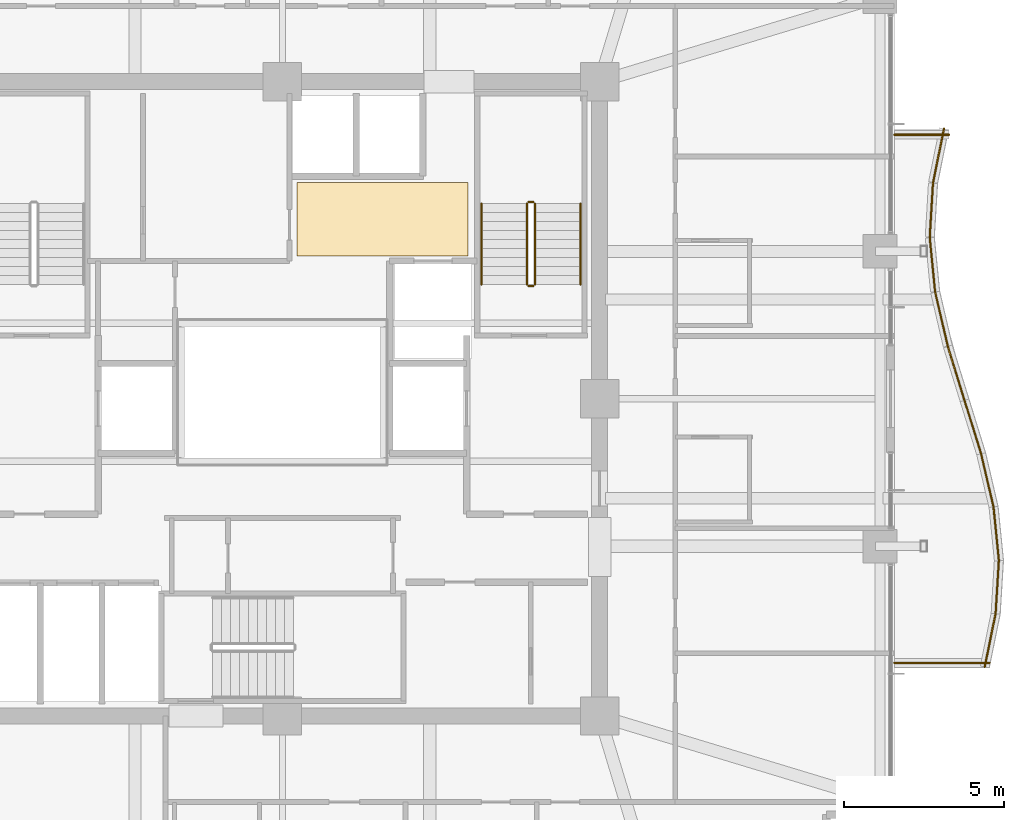
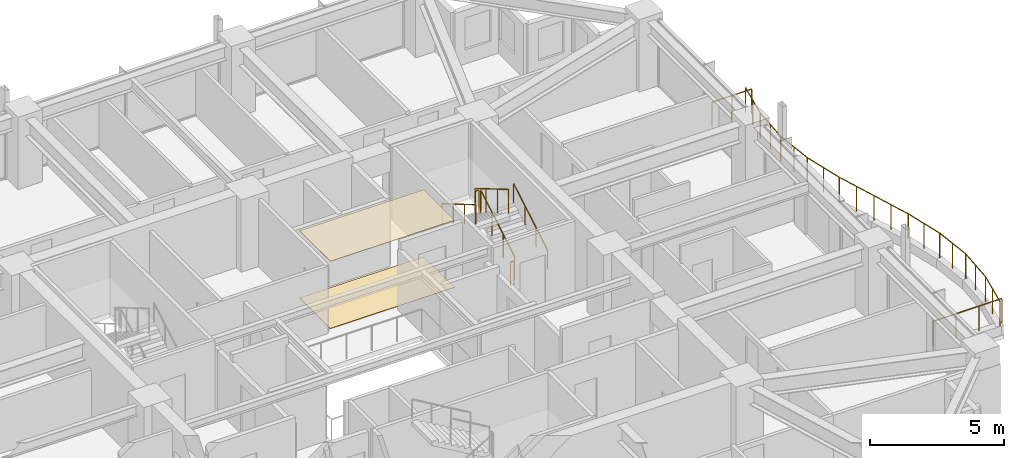
# One storey, part 35 of 35: 18 railings, 2 coverings.
"""IFC4 building model written with IfcOpenShell, lengths in metres."""

import ifcopenshell
import ifcopenshell.guid

model = None  # the IFC model being written
_history = None  # IfcOwnerHistory: only IFC2X3 demands one
_inside = {}  # id of a spatial element -> (the spatial element, [elements in it])
_under = {}  # id of a project, library or spatial element -> (it, [spatial elements below it])
_declared = {}  # id of a project -> (the project, [libraries it declares])
_typed = {}  # id of a type object -> (the type object, [elements of that type])
_made_of = {}  # id of a material, layer set ... -> (it, [elements and type objects made of it])


def new_model(schema):
    """Start an empty IFC model of exactly this schema.

    Asked for "IFC4X3", IfcOpenShell would pick the latest addendum, in which some entities
    have other attributes; the version numbers below select the first issue.
    IFC2X3 requires an IfcOwnerHistory on every rooted entity: one is made here for all.
    """
    global model, _history
    if schema == "IFC4X3":
        model = ifcopenshell.file(schema_version=(4, 3, 0, 0))
    else:
        model = ifcopenshell.file(schema=schema)
    _inside.clear()
    _under.clear()
    _declared.clear()
    _typed.clear()
    _made_of.clear()
    _history = None
    if model.schema == "IFC2X3":
        org = make("IfcOrganization", Name="unknown")
        user = make(
            "IfcPersonAndOrganization",
            ThePerson=make("IfcPerson", FamilyName="unknown"),
            TheOrganization=org,
        )
        app = make(
            "IfcApplication",
            ApplicationDeveloper=org,
            Version="unknown",
            ApplicationFullName="unknown",
            ApplicationIdentifier="unknown",
        )
        _history = make(
            "IfcOwnerHistory",
            OwningUser=user,
            OwningApplication=app,
            ChangeAction="ADDED",
            CreationDate=0,
        )
    return model


def make(cls, **values):
    """One entity of the class cls with the attributes given. An attribute that is None is left unset."""
    return model.create_entity(
        cls, **{name: value for name, value in values.items() if value is not None}
    )


def rooted(cls, **values):
    """An entity with a GlobalId (a new one), such as an element, a storey or a relation."""
    return make(cls, GlobalId=ifcopenshell.guid.new(), OwnerHistory=_history, **values)


def si_unit(unit_type, name, prefix=None):
    """IfcSIUnit, for example si_unit("LENGTHUNIT", "METRE", prefix="MILLI")."""
    return make("IfcSIUnit", UnitType=unit_type, Prefix=prefix, Name=name)


def assignment(units):
    """IfcUnitAssignment: the units of a project."""
    return None if units is None else make("IfcUnitAssignment", Units=units)


def point(xyz):
    """IfcCartesianPoint."""
    return None if xyz is None else make("IfcCartesianPoint", Coordinates=xyz)


def direction(xyz):
    """IfcDirection."""
    return None if xyz is None else make("IfcDirection", DirectionRatios=xyz)


def frame(location, z_axis=None, x_axis=None):
    """IfcAxis2Placement3D, a coordinate frame: its origin and axes. An axis left out is left unset."""
    return make(
        "IfcAxis2Placement3D",
        Location=point(location),
        Axis=direction(z_axis),
        RefDirection=direction(x_axis),
    )


def frame_2d(location, x_axis=None):
    """IfcAxis2Placement2D, a coordinate frame in the plane: its origin and x axis."""
    return make(
        "IfcAxis2Placement2D", Location=point(location), RefDirection=direction(x_axis)
    )


def origin():
    """The frame at (0, 0, 0) with its axes left unset."""
    return frame((0.0, 0.0, 0.0))


def origin_2d():
    """The frame at (0, 0) in the plane with its x axis left unset."""
    return frame_2d((0.0, 0.0))


def place(relative_to, where):
    """IfcLocalPlacement: puts the frame where relative to a parent placement (None: the world)."""
    return make(
        "IfcLocalPlacement", PlacementRelTo=relative_to, RelativePlacement=where
    )


def context(
    kind, dimensions, precision=None, world=None, true_north=None, identifier=None
):
    """IfcGeometricRepresentationContext, for example the 3D "Model" context."""
    return make(
        "IfcGeometricRepresentationContext",
        ContextIdentifier=identifier,
        ContextType=kind,
        CoordinateSpaceDimension=dimensions,
        Precision=precision,
        WorldCoordinateSystem=world,
        TrueNorth=true_north,
    )


def subcontext(parent, identifier, kind, view, scale=None):
    """IfcGeometricRepresentationSubContext, for example "Body" below "Model"."""
    return make(
        "IfcGeometricRepresentationSubContext",
        ContextIdentifier=identifier,
        ContextType=kind,
        ParentContext=parent,
        TargetScale=scale,
        TargetView=view,
    )


def project(units=None, contexts=None):
    """IfcProject with its units and contexts."""
    return rooted(
        "IfcProject",
        Name="project",
        RepresentationContexts=contexts,
        UnitsInContext=assignment(units),
    )


def spatial(cls, under=None, at=None, **own):
    """A site, building, storey or space (cls), placed at a placement, below another one or the project."""
    s = rooted(cls, ObjectPlacement=at, **own)
    if under is not None:
        _under.setdefault(under.id(), (under, []))[1].append(s)
    return s


def polyline(points):
    """IfcPolyline through the points."""
    return make("IfcPolyline", Points=[point(p) for p in points])


def profile(cls, at=None, kind="AREA", **sizes):
    """A parametric profile (cls). Its sizes go by their IFC names, for example OverallWidth=200.0."""
    return make(cls, ProfileType=kind, Position=at, **sizes)


def circle(**sizes):
    """IfcCircleProfileDef."""
    return profile("IfcCircleProfileDef", **sizes)


def outline(outer, holes=None, kind="AREA"):
    """IfcArbitraryClosedProfileDef: a profile drawn as a closed curve; with holes, ...WithVoids."""
    if holes is None:
        return make("IfcArbitraryClosedProfileDef", ProfileType=kind, OuterCurve=outer)
    return make(
        "IfcArbitraryProfileDefWithVoids",
        ProfileType=kind,
        OuterCurve=outer,
        InnerCurves=holes,
    )


def extrude(swept, where, along, depth):
    """IfcExtrudedAreaSolid: the profile swept, set in the frame where, extruded along a direction by depth."""
    return make(
        "IfcExtrudedAreaSolid",
        SweptArea=swept,
        Position=where,
        ExtrudedDirection=direction(along),
        Depth=depth,
    )


def shape(context_of_items, identifier, shape_type, items):
    """IfcShapeRepresentation: the items that make up one representation, for example the "Body"."""
    return make(
        "IfcShapeRepresentation",
        ContextOfItems=context_of_items,
        RepresentationIdentifier=identifier,
        RepresentationType=shape_type,
        Items=items,
    )


def material(Name=None, Category=None):
    """IfcMaterial."""
    return make("IfcMaterial", Name=Name, Category=Category)


def layer(
    of_material, thickness, ventilated=None, Name=None, Category=None, Priority=None
):
    """IfcMaterialLayer: one layer of a wall or slab, of a material (None: an air gap)."""
    return make(
        "IfcMaterialLayer",
        Material=of_material,
        LayerThickness=thickness,
        IsVentilated=ventilated,
        Name=Name,
        Category=Category,
        Priority=Priority,
    )


def layer_set(layers, Name=None):
    """IfcMaterialLayerSet."""
    return make("IfcMaterialLayerSet", MaterialLayers=layers, LayerSetName=Name)


def made_of(thing, what):
    """Note that an element or type object is made of a material, layer set ...; save() writes the relation."""
    if what is not None:
        _made_of.setdefault(what.id(), (what, []))[1].append(thing)
    return thing


def type_object(cls, material=None, **own):
    """A type object (cls), such as IfcWallType, which elements share."""
    return made_of(rooted(cls, **own), material)


def element(
    cls,
    number,
    at=None,
    inside=None,
    cuts=None,
    type_object=None,
    material=None,
    context=None,
    identifier="Body",
    shape_type=None,
    held_by="IfcProductDefinitionShape",
    body=None,
    shapes=None,
    **own,
):
    """One element of the class cls, such as IfcWall. Its Tag is "e" and its number.

    at: its placement. inside: the storey or other place that contains it. cuts: it is an
    opening in that element (IfcRelVoidsElement). A single representation is given by context,
    identifier, shape_type and body (its items); several are given by shapes. held_by: the class
    of the entity that holds the representations. save() writes the other relations.
    """
    e = rooted(cls, Tag="e%d" % number, ObjectPlacement=at, **own)
    if body is not None:
        shapes = [shape(context, identifier, shape_type, body)]
    if shapes is not None:
        e.Representation = make(held_by, Representations=shapes)
    if inside is not None:
        _inside.setdefault(inside.id(), (inside, []))[1].append(e)
    if cuts is not None:
        rooted(
            "IfcRelVoidsElement", RelatingBuildingElement=cuts, RelatedOpeningElement=e
        )
    if type_object is not None:
        _typed.setdefault(type_object.id(), (type_object, []))[1].append(e)
    return made_of(e, material)


def aggregate(whole, parts):
    """IfcRelAggregates: a whole, such as a stair, and the parts it consists of."""
    return rooted("IfcRelAggregates", RelatingObject=whole, RelatedObjects=parts)


def save(model, path):
    """Write the relations noted so far, then the file.

    IfcRelAggregates (storeys below a building ...), IfcRelContainedInSpatialStructure (elements
    in a storey), IfcRelDefinesByType, IfcRelAssociatesMaterial and IfcRelDeclares: one each for
    every whole, place, type object, material and project.
    """
    for whole, parts in _under.values():
        aggregate(whole, parts)
    for where, things in _inside.values():
        rooted(
            "IfcRelContainedInSpatialStructure",
            RelatedElements=things,
            RelatingStructure=where,
        )
    for kind, things in _typed.values():
        rooted("IfcRelDefinesByType", RelatedObjects=things, RelatingType=kind)
    for what, things in _made_of.values():
        rooted("IfcRelAssociatesMaterial", RelatedObjects=things, RelatingMaterial=what)
    for by, libraries in _declared.values():
        rooted("IfcRelDeclares", RelatingContext=by, RelatedDefinitions=libraries)
    model.write(path)


model = new_model("IFC4")

# Units and contexts
model_context = context("Model", 3, precision=1e-05, world=origin(), true_north=direction((0.0, 1.0)))
body_context = subcontext(model_context, "Body", "Model", "MODEL_VIEW")
ifc_project = project(units=[si_unit("LENGTHUNIT", "METRE"), si_unit("AREAUNIT", "SQUARE_METRE"), si_unit("VOLUMEUNIT", "CUBIC_METRE"), si_unit("PLANEANGLEUNIT", "RADIAN"), si_unit("MASSUNIT", "GRAM", prefix="KILO")], contexts=[model_context])

# Site, building, storey
site_placement = place(None, origin())
site = spatial("IfcSite", under=ifc_project, at=site_placement, CompositionType="ELEMENT")
building_placement = place(site_placement, origin())
building = spatial("IfcBuilding", under=site, at=building_placement, Name="Kolvaren Belvedere", CompositionType="ELEMENT")
storey_placement = place(building_placement, frame((0.0, 0.0, 115.10009765625)))
storey = spatial("IfcBuildingStorey", under=building, at=storey_placement, Name="L33", CompositionType="ELEMENT", Elevation=115.10009765625)

# Coverings
ifc_material_1 = material(Name="Acoustic perforated gypsum board", Category="gypsum")
ifc_layer_1 = layer(ifc_material_1, 0.02490234375)
ifc_layer_set_1 = layer_set([ifc_layer_1], Name="Acoustic perforated gypsum board")
covering_type_1 = type_object("IfcCoveringType", Name="COV-CEIL-GYP", PredefinedType="CEILING", material=ifc_layer_set_1)
covering_1_placement = place(storey_placement, frame((0.0, 0.0, 3.054931640625)))
element("IfcCovering", 1, at=covering_1_placement, inside=storey, type_object=covering_type_1, Name="L33 Lift Lobby Acoustic Baffle Ceiling", PredefinedType="CEILING", context=body_context, shape_type="SweptSolid", body=[
    extrude(outline(polyline([(0.449951171875, 4.449951171875), (5.800048828125, 4.449951171875), (5.800048828125, 6.75), (0.449951171875, 6.75), (0.449951171875, 4.449951171875)])), origin(), (0.0, 0.0, 1.0), 0.02490234375),
])
ifc_material_2 = material(Name="Engineered Pacific white oak", Category="timber")
ifc_layer_2 = layer(ifc_material_2, 0.02001953125)
ifc_layer_set_2 = layer_set([ifc_layer_2], Name="Engineered Pacific white oak")
covering_type_2 = type_object("IfcCoveringType", Name="COV-FLR-OAK", PredefinedType="FLOORING", material=ifc_layer_set_2)
covering_2_placement = place(storey_placement, origin())
element("IfcCovering", 2, at=covering_2_placement, inside=storey, type_object=covering_type_2, Name="L33 Lift Lobby Finish Flooring", PredefinedType="FLOORING", context=body_context, shape_type="SweptSolid", body=[
    extrude(outline(polyline([(0.449951171875, 4.449951171875), (5.800048828125, 4.449951171875), (5.800048828125, 6.75), (0.449951171875, 6.75), (0.449951171875, 4.449951171875)])), origin(), (0.0, 0.0, 1.0), 0.02001953125),
])

# Railings
ifc_material_3 = material(Name="Anodised pale-metal aluminium & laminated glass guard", Category="aluminium")
railing_type_1 = type_object("IfcRailingType", Name="RL-GUARD-1150", PredefinedType="GUARDRAIL", material=ifc_material_3)
railing_1_placement = place(storey_placement, frame((21.91796875, -8.367919921875, 0.3798828125)))
element("IfcRailing", 3, at=railing_1_placement, inside=storey, type_object=railing_type_1, Name="L33 Exterior Deck Safety Guard BAL-E-1", PredefinedType="GUARDRAIL", context=body_context, shape_type="SweptSolid", body=[
    extrude(circle(Radius=0.02392578125, at=origin_2d()), frame((0.0, 0.0, 1.1259765625), z_axis=(0.199784246163, 0.979839912937, 0.0), x_axis=(-0.979839912937, 0.199784246163, 0.0)), (0.0, 0.0, 1.0), 1.714599609375),
    extrude(circle(Radius=0.02099609375, at=origin_2d()), origin(), (0.0, 0.0, 1.0), 1.101806640625),
    extrude(circle(Radius=0.02099609375, at=origin_2d()), frame((0.17138671875, 0.83984375, 0.0)), (0.0, 0.0, 1.0), 1.101806640625),
    extrude(circle(Radius=0.02099609375, at=origin_2d()), frame((0.342529296875, 1.679931640625, 0.0)), (0.0, 0.0, 1.0), 1.101806640625),
])
railing_2_placement = place(storey_placement, frame((22.257568359375, -6.710205078125, 0.3798828125)))
element("IfcRailing", 4, at=railing_2_placement, inside=storey, type_object=railing_type_1, Name="L33 Exterior Deck Safety Guard BAL-E-2", PredefinedType="GUARDRAIL", context=body_context, shape_type="SweptSolid", body=[
    extrude(circle(Radius=0.02392578125, at=origin_2d()), frame((0.0, 0.0, 1.1259765625), z_axis=(0.061068773295, 0.998133560666, 0.0), x_axis=(-0.998133560666, 0.061068773295, 0.0)), (0.0, 0.0, 1.0), 1.68310546875),
    extrude(circle(Radius=0.02099609375, at=origin_2d()), origin(), (0.0, 0.0, 1.0), 1.101806640625),
    extrude(circle(Radius=0.02099609375, at=origin_2d()), frame((0.05126953125, 0.83984375, 0.0)), (0.0, 0.0, 1.0), 1.101806640625),
    extrude(circle(Radius=0.02099609375, at=origin_2d()), frame((0.102783203125, 1.679931640625, 0.0)), (0.0, 0.0, 1.0), 1.101806640625),
])
railing_3_placement = place(storey_placement, frame((22.36083984375, -5.055908203125, 0.3798828125)))
element("IfcRailing", 5, at=railing_3_placement, inside=storey, type_object=railing_type_1, Name="L33 Exterior Deck Safety Guard BAL-E-3", PredefinedType="GUARDRAIL", context=body_context, shape_type="SweptSolid", body=[
    extrude(circle(Radius=0.02392578125, at=origin_2d()), frame((0.0, 0.0, 1.1259765625), z_axis=(-0.099632573776, 0.995024296308, 0.0), x_axis=(-0.995024296308, -0.099632573776, 0.0)), (0.0, 0.0, 1.0), 1.688232421875),
    extrude(circle(Radius=0.02099609375, at=origin_2d()), origin(), (0.0, 0.0, 1.0), 1.101806640625),
    extrude(circle(Radius=0.02099609375, at=origin_2d()), frame((-0.083984375, 0.83984375, 0.0)), (0.0, 0.0, 1.0), 1.101806640625),
    extrude(circle(Radius=0.02099609375, at=origin_2d()), frame((-0.168212890625, 1.679931640625, 0.0)), (0.0, 0.0, 1.0), 1.101806640625),
])
railing_4_placement = place(storey_placement, frame((22.196044921875, -3.396240234375, 0.3798828125)))
element("IfcRailing", 6, at=railing_4_placement, inside=storey, type_object=railing_type_1, Name="L33 Exterior Deck Safety Guard BAL-E-4", PredefinedType="GUARDRAIL", context=body_context, shape_type="SweptSolid", body=[
    extrude(circle(Radius=0.02392578125, at=origin_2d()), frame((0.0, 0.0, 1.1259765625), z_axis=(-0.227019323824, 0.973890253884, 0.0), x_axis=(-0.973890253884, -0.227019323824, 0.0)), (0.0, 0.0, 1.0), 1.724853515625),
    extrude(circle(Radius=0.02099609375, at=origin_2d()), origin(), (0.0, 0.0, 1.0), 1.101806640625),
    extrude(circle(Radius=0.02099609375, at=origin_2d()), frame((-0.19580078125, 0.83984375, 0.0)), (0.0, 0.0, 1.0), 1.101806640625),
    extrude(circle(Radius=0.02099609375, at=origin_2d()), frame((-0.3916015625, 1.679931640625, 0.0)), (0.0, 0.0, 1.0), 1.101806640625),
])
railing_5_placement = place(storey_placement, frame((21.8076171875, -1.727294921875, 0.3798828125)))
element("IfcRailing", 7, at=railing_5_placement, inside=storey, type_object=railing_type_1, Name="L33 Exterior Deck Safety Guard BAL-E-5", PredefinedType="GUARDRAIL", context=body_context, shape_type="SweptSolid", body=[
    extrude(circle(Radius=0.02392578125, at=origin_2d()), frame((0.0, 0.0, 1.1259765625), z_axis=(-0.295958190359, 0.955200894869, 0.0), x_axis=(-0.955200894869, -0.295958190359, 0.0)), (0.0, 0.0, 1.0), 1.7587890625),
    extrude(circle(Radius=0.02099609375, at=origin_2d()), origin(), (0.0, 0.0, 1.0), 1.101806640625),
    extrude(circle(Radius=0.02099609375, at=origin_2d()), frame((-0.26025390625, 0.83984375, 0.0)), (0.0, 0.0, 1.0), 1.101806640625),
    extrude(circle(Radius=0.02099609375, at=origin_2d()), frame((-0.5205078125, 1.679931640625, 0.0)), (0.0, 0.0, 1.0), 1.101806640625),
])
railing_6_placement = place(storey_placement, frame((21.287109375, -0.04736328125, 0.3798828125)))
element("IfcRailing", 8, at=railing_6_placement, inside=storey, type_object=railing_type_1, Name="L33 Exterior Deck Safety Guard BAL-E-6", PredefinedType="GUARDRAIL", context=body_context, shape_type="SweptSolid", body=[
    extrude(circle(Radius=0.02392578125, at=origin_2d()), frame((0.0, 0.0, 1.1259765625), z_axis=(-0.29579229954, 0.955252278476, 0.0), x_axis=(-0.955252278476, -0.29579229954, 0.0)), (0.0, 0.0, 1.0), 1.7587890625),
    extrude(circle(Radius=0.02099609375, at=origin_2d()), origin(), (0.0, 0.0, 1.0), 1.101806640625),
    extrude(circle(Radius=0.02099609375, at=origin_2d()), frame((-0.26025390625, 0.840087890625, 0.0)), (0.0, 0.0, 1.0), 1.101806640625),
    extrude(circle(Radius=0.02099609375, at=origin_2d()), frame((-0.520263671875, 1.68017578125, 0.0)), (0.0, 0.0, 1.0), 1.101806640625),
])
railing_7_placement = place(storey_placement, frame((20.763916015625, 1.643798828125, 0.3798828125)))
element("IfcRailing", 9, at=railing_7_placement, inside=storey, type_object=railing_type_1, Name="L33 Exterior Deck Safety Guard BAL-E-7", PredefinedType="GUARDRAIL", context=body_context, shape_type="SweptSolid", body=[
    extrude(circle(Radius=0.02392578125, at=origin_2d()), frame((0.0, 0.0, 1.1259765625), z_axis=(-0.227019323824, 0.973890253884, 0.0), x_axis=(-0.973890253884, -0.227019323824, 0.0)), (0.0, 0.0, 1.0), 1.724853515625),
    extrude(circle(Radius=0.02099609375, at=origin_2d()), origin(), (0.0, 0.0, 1.0), 1.101806640625),
    extrude(circle(Radius=0.02099609375, at=origin_2d()), frame((-0.19580078125, 0.83984375, 0.0)), (0.0, 0.0, 1.0), 1.101806640625),
    extrude(circle(Radius=0.02099609375, at=origin_2d()), frame((-0.3916015625, 1.679931640625, 0.0)), (0.0, 0.0, 1.0), 1.101806640625),
])
railing_8_placement = place(storey_placement, frame((20.368896484375, 3.34423828125, 0.3798828125)))
element("IfcRailing", 10, at=railing_8_placement, inside=storey, type_object=railing_type_1, Name="L33 Exterior Deck Safety Guard BAL-E-8", PredefinedType="GUARDRAIL", context=body_context, shape_type="SweptSolid", body=[
    extrude(circle(Radius=0.02392578125, at=origin_2d()), frame((0.0, 0.0, 1.1259765625), z_axis=(-0.098329649867, 0.995153897624, 0.0), x_axis=(-0.995153897624, -0.098329649867, 0.0)), (0.0, 0.0, 1.0), 1.6884765625),
    extrude(circle(Radius=0.02099609375, at=origin_2d()), origin(), (0.0, 0.0, 1.0), 1.101806640625),
    extrude(circle(Radius=0.02099609375, at=origin_2d()), frame((-0.0830078125, 0.840087890625, 0.0)), (0.0, 0.0, 1.0), 1.101806640625),
    extrude(circle(Radius=0.02099609375, at=origin_2d()), frame((-0.166015625, 1.68017578125, 0.0)), (0.0, 0.0, 1.0), 1.101806640625),
])
railing_9_placement = place(storey_placement, frame((20.202392578125, 5.049560546875, 0.3798828125)))
element("IfcRailing", 11, at=railing_9_placement, inside=storey, type_object=railing_type_1, Name="L33 Exterior Deck Safety Guard BAL-E-9", PredefinedType="GUARDRAIL", context=body_context, shape_type="SweptSolid", body=[
    extrude(circle(Radius=0.02392578125, at=origin_2d()), frame((0.0, 0.0, 1.1259765625), z_axis=(0.059767979379, 0.998212296378, 0.0), x_axis=(-0.998212296378, 0.059767979379, 0.0)), (0.0, 0.0, 1.0), 1.682861328125),
    extrude(circle(Radius=0.02099609375, at=origin_2d()), origin(), (0.0, 0.0, 1.0), 1.101806640625),
    extrude(circle(Radius=0.02099609375, at=origin_2d()), frame((0.05029296875, 0.83984375, 0.0)), (0.0, 0.0, 1.0), 1.101806640625),
    extrude(circle(Radius=0.02099609375, at=origin_2d()), frame((0.1005859375, 1.679931640625, 0.0)), (0.0, 0.0, 1.0), 1.101806640625),
])
railing_10_placement = place(storey_placement, frame((20.305908203125, 6.751953125, 0.3798828125)))
element("IfcRailing", 12, at=railing_10_placement, inside=storey, type_object=railing_type_1, Name="L33 Exterior Deck Safety Guard BAL-E-10", PredefinedType="GUARDRAIL", context=body_context, shape_type="SweptSolid", body=[
    extrude(circle(Radius=0.02392578125, at=origin_2d()), frame((0.0, 0.0, 1.1259765625), z_axis=(0.199784246163, 0.979839912937, 0.0), x_axis=(-0.979839912937, 0.199784246163, 0.0)), (0.0, 0.0, 1.0), 1.714599609375),
    extrude(circle(Radius=0.02099609375, at=origin_2d()), origin(), (0.0, 0.0, 1.0), 1.101806640625),
    extrude(circle(Radius=0.02099609375, at=origin_2d()), frame((0.17138671875, 0.83984375, 0.0)), (0.0, 0.0, 1.0), 1.101806640625),
    extrude(circle(Radius=0.02099609375, at=origin_2d()), frame((0.342529296875, 1.679931640625, 0.0)), (0.0, 0.0, 1.0), 1.101806640625),
])
railing_11_placement = place(storey_placement, frame((20.80517578125, 8.239990234375, 0.3798828125)))
element("IfcRailing", 13, at=railing_11_placement, inside=storey, type_object=railing_type_1, Name="L33 Exterior Deck Safety Guard BAL-E-11", PredefinedType="GUARDRAIL", context=body_context, shape_type="SweptSolid", body=[
    extrude(circle(Radius=0.02392578125, at=origin_2d()), frame((0.0, 0.0, 1.1259765625), z_axis=(-1.0, 0.0, 0.0), x_axis=(0.0, -1.0, 0.0)), (0.0, 0.0, 1.0), 1.705078125),
    extrude(circle(Radius=0.02099609375, at=origin_2d()), origin(), (0.0, 0.0, 1.0), 1.101806640625),
    extrude(circle(Radius=0.02099609375, at=origin_2d()), frame((-0.8525390625, 0.0, 0.0)), (0.0, 0.0, 1.0), 1.101806640625),
    extrude(circle(Radius=0.02099609375, at=origin_2d()), frame((-1.705078125, 0.0, 0.0)), (0.0, 0.0, 1.0), 1.101806640625),
])
railing_12_placement = place(storey_placement, frame((19.10009765625, -8.239990234375, 0.3798828125)))
element("IfcRailing", 14, at=railing_12_placement, inside=storey, type_object=railing_type_1, Name="L33 Exterior Deck Safety Guard BAL-E-22", PredefinedType="GUARDRAIL", context=body_context, shape_type="SweptSolid", body=[
    extrude(circle(Radius=0.02392578125, at=origin_2d()), frame((0.0, 0.0, 1.1259765625), z_axis=(1.0, 0.0, 0.0), x_axis=(0.0, 1.0, 0.0)), (0.0, 0.0, 1.0), 2.974609375),
    extrude(circle(Radius=0.02099609375, at=origin_2d()), origin(), (0.0, 0.0, 1.0), 1.101806640625),
    extrude(circle(Radius=0.02099609375, at=origin_2d()), frame((0.991455078125, 0.0, 0.0)), (0.0, 0.0, 1.0), 1.101806640625),
    extrude(circle(Radius=0.02099609375, at=origin_2d()), frame((1.983154296875, 0.0, 0.0)), (0.0, 0.0, 1.0), 1.101806640625),
    extrude(circle(Radius=0.02099609375, at=origin_2d()), frame((2.974609375, 0.0, 0.0)), (0.0, 0.0, 1.0), 1.101806640625),
])
ifc_material_4 = material(Name="Brushed stainless-steel handrail", Category="steel")
railing_type_2 = type_object("IfcRailingType", Name="RL-HANDRAIL-920", PredefinedType="HANDRAIL", material=ifc_material_4)
railing_13_placement = place(storey_placement, frame((9.300048828125, 3.570068359375, 0.164794921875)))
element("IfcRailing", 15, at=railing_13_placement, inside=storey, type_object=railing_type_2, Name="L33 ST-2 stair handrail 1", PredefinedType="HANDRAIL", context=body_context, shape_type="SweptSolid", body=[
    extrude(circle(Radius=0.02392578125, at=origin_2d()), frame((0.0, 0.0, 0.8759765625), z_axis=(0.0, 0.86152411907, 0.507716645641), x_axis=(-1.0, 0.0, 0.0)), (0.0, 0.0, 1.0), 2.925048828125),
    extrude(circle(Radius=0.02099609375, at=origin_2d()), origin(), (0.0, 0.0, 1.0), 0.851806640625),
    extrude(circle(Radius=0.02099609375, at=origin_2d()), frame((0.0, 0.840087890625, 0.4951171875)), (0.0, 0.0, 1.0), 0.851806640625),
    extrude(circle(Radius=0.02099609375, at=origin_2d()), frame((0.0, 1.679931640625, 0.989990234375)), (0.0, 0.0, 1.0), 0.851806640625),
    extrude(circle(Radius=0.02099609375, at=origin_2d()), frame((0.0, 2.52001953125, 1.485107421875)), (0.0, 0.0, 1.0), 0.851806640625),
])
railing_14_placement = place(storey_placement, frame((6.2099609375, 6.090087890625, 1.81494140625)))
element("IfcRailing", 16, at=railing_14_placement, inside=storey, type_object=railing_type_2, Name="L33 ST-2 stair handrail 2", PredefinedType="HANDRAIL", context=body_context, shape_type="SweptSolid", body=[
    extrude(circle(Radius=0.02392578125, at=origin_2d()), frame((0.0, 0.0, 0.8759765625), z_axis=(0.0, -0.861560626758, 0.507654692109), x_axis=(1.0, 0.0, 0.0)), (0.0, 0.0, 1.0), 2.925048828125),
    extrude(circle(Radius=0.02099609375, at=origin_2d()), origin(), (0.0, 0.0, 1.0), 0.851806640625),
    extrude(circle(Radius=0.02099609375, at=origin_2d()), frame((0.0, -0.840087890625, 0.494873046875)), (0.0, 0.0, 1.0), 0.851806640625),
    extrude(circle(Radius=0.02099609375, at=origin_2d()), frame((0.0, -1.679931640625, 0.989990234375)), (0.0, 0.0, 1.0), 0.851806640625),
    extrude(circle(Radius=0.02099609375, at=origin_2d()), frame((0.0, -2.52001953125, 1.48486328125)), (0.0, 0.0, 1.0), 0.851806640625),
])
ifc_material_5 = material(Name="Painted tubular steel stair guard", Category="steel")
railing_type_3 = type_object("IfcRailingType", Name="RL-STGUARD-1100", PredefinedType="GUARDRAIL", material=ifc_material_5)
railing_15_placement = place(storey_placement, frame((7.8798828125, 3.570068359375, 0.164794921875)))
element("IfcRailing", 17, at=railing_15_placement, inside=storey, type_object=railing_type_3, Name="L33 ST-2 stair guard 1", PredefinedType="GUARDRAIL", context=body_context, shape_type="SweptSolid", body=[
    extrude(circle(Radius=0.02392578125, at=origin_2d()), frame((0.0, 0.0, 1.076171875), z_axis=(0.0, 0.86152411907, 0.507716645641), x_axis=(-1.0, 0.0, 0.0)), (0.0, 0.0, 1.0), 2.925048828125),
    extrude(circle(Radius=0.02099609375, at=origin_2d()), origin(), (0.0, 0.0, 1.0), 1.052001953125),
    extrude(circle(Radius=0.02099609375, at=origin_2d()), frame((0.0, 0.840087890625, 0.4951171875)), (0.0, 0.0, 1.0), 1.052001953125),
    extrude(circle(Radius=0.02099609375, at=origin_2d()), frame((0.0, 1.679931640625, 0.989990234375)), (0.0, 0.0, 1.0), 1.052001953125),
    extrude(circle(Radius=0.02099609375, at=origin_2d()), frame((0.0, 2.52001953125, 1.485107421875)), (0.0, 0.0, 1.0), 1.052001953125),
])
railing_16_placement = place(storey_placement, frame((7.830078125, 6.139892578125, 1.64990234375)))
element("IfcRailing", 18, at=railing_16_placement, inside=storey, type_object=railing_type_3, Name="L33 ST-2 stair guard 2", PredefinedType="GUARDRAIL", context=body_context, shape_type="SweptSolid", body=[
    extrude(circle(Radius=0.02392578125, at=origin_2d()), frame((0.0, 0.0, 1.076171875), z_axis=(-1.0, 0.0, 0.0), x_axis=(0.0, -1.0, 0.0)), (0.0, 0.0, 1.0), 0.150146484375),
    extrude(circle(Radius=0.02099609375, at=origin_2d()), origin(), (0.0, 0.0, 1.0), 1.052001953125),
    extrude(circle(Radius=0.02099609375, at=origin_2d()), frame((-0.150146484375, 0.0, 0.0)), (0.0, 0.0, 1.0), 1.052001953125),
])
railing_17_placement = place(storey_placement, frame((7.6298828125, 6.090087890625, 1.81494140625)))
element("IfcRailing", 19, at=railing_17_placement, inside=storey, type_object=railing_type_3, Name="L33 ST-2 stair guard 3", PredefinedType="GUARDRAIL", context=body_context, shape_type="SweptSolid", body=[
    extrude(circle(Radius=0.02392578125, at=origin_2d()), frame((0.0, 0.0, 1.076171875), z_axis=(0.0, -0.861560626758, 0.507654692109), x_axis=(1.0, 0.0, 0.0)), (0.0, 0.0, 1.0), 2.925048828125),
    extrude(circle(Radius=0.02099609375, at=origin_2d()), origin(), (0.0, 0.0, 1.0), 1.052001953125),
    extrude(circle(Radius=0.02099609375, at=origin_2d()), frame((0.0, -0.840087890625, 0.494873046875)), (0.0, 0.0, 1.0), 1.052001953125),
    extrude(circle(Radius=0.02099609375, at=origin_2d()), frame((0.0, -1.679931640625, 0.989990234375)), (0.0, 0.0, 1.0), 1.052001953125),
    extrude(circle(Radius=0.02099609375, at=origin_2d()), frame((0.0, -2.52001953125, 1.48486328125)), (0.0, 0.0, 1.0), 1.052001953125),
])
railing_18_placement = place(storey_placement, frame((7.830078125, 3.52001953125, 0.0)))
element("IfcRailing", 20, at=railing_18_placement, inside=storey, type_object=railing_type_3, Name="L33 ST-2 stair guard 4", PredefinedType="GUARDRAIL", context=body_context, shape_type="SweptSolid", body=[
    extrude(circle(Radius=0.02392578125, at=origin_2d()), frame((0.0, 0.0, 1.076171875), z_axis=(-1.0, 0.0, 0.0), x_axis=(0.0, -1.0, 0.0)), (0.0, 0.0, 1.0), 0.150146484375),
    extrude(circle(Radius=0.02099609375, at=origin_2d()), origin(), (0.0, 0.0, 1.0), 1.052001953125),
    extrude(circle(Radius=0.02099609375, at=origin_2d()), frame((-0.150146484375, 0.0, 0.0)), (0.0, 0.0, 1.0), 1.052001953125),
])

save(model, "model.ifc")
